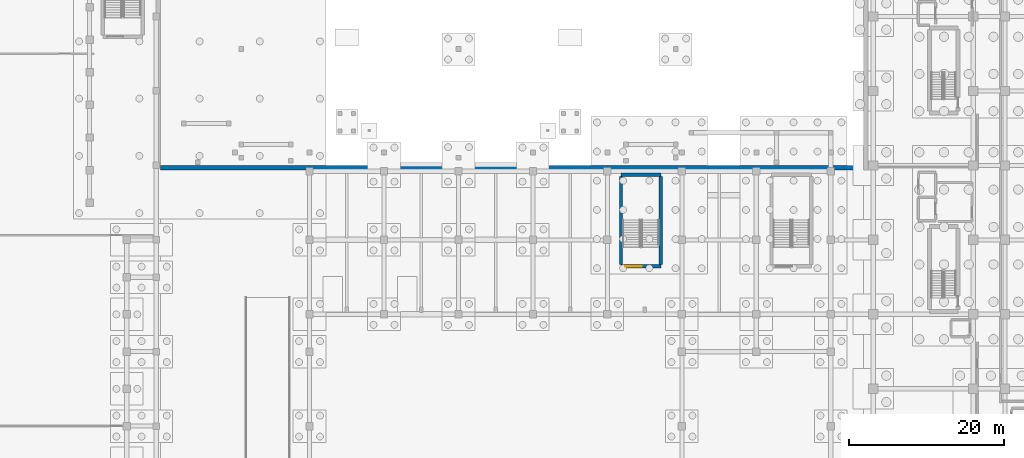
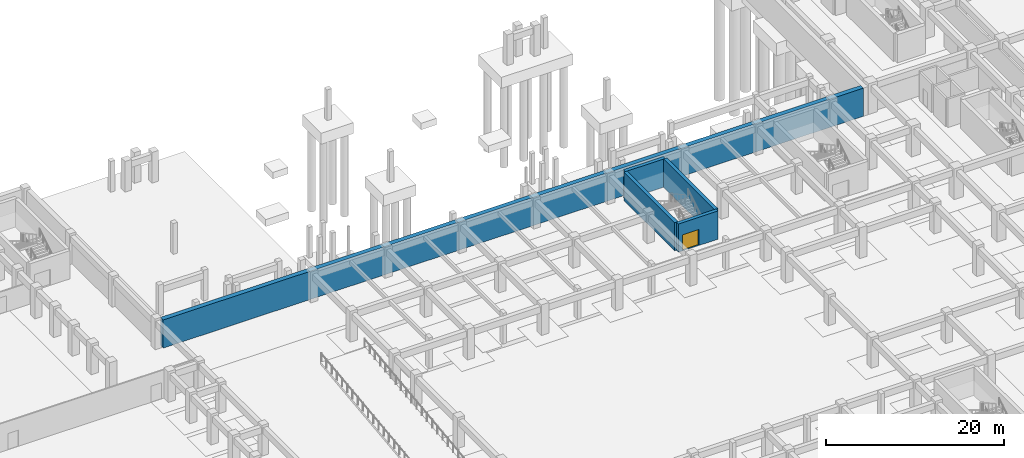
# One storey, part 19 of 39: 5 walls, 1 door, 1 opening.
"""IFC4 building model written with IfcOpenShell, lengths in metres."""

from ifc_helpers import new_model, si_unit, direction, frame, frame_2d, origin, place, context, subcontext, project, spatial, rectangle, extrude, material, layer, layer_set, type_object, element, fill, save


model = new_model("IFC4")

# Units and contexts
model_context = context("Model", 3, precision=1e-05, world=origin(), true_north=direction((0.0, 1.0)))
body_context = subcontext(model_context, "Body", "Model", "MODEL_VIEW")
ifc_project = project(units=[si_unit("LENGTHUNIT", "METRE"), si_unit("AREAUNIT", "SQUARE_METRE"), si_unit("VOLUMEUNIT", "CUBIC_METRE"), si_unit("PLANEANGLEUNIT", "RADIAN"), si_unit("MASSUNIT", "GRAM", prefix="KILO")], contexts=[model_context])

# Site, building, storey
site_placement = place(None, origin())
site = spatial("IfcSite", under=ifc_project, at=site_placement, CompositionType="ELEMENT")
building_placement = place(site_placement, origin())
building = spatial("IfcBuilding", under=site, at=building_placement, Name="Nakhvara Creek Congress Hotel", CompositionType="ELEMENT")
storey_placement = place(building_placement, frame((0.0, 0.0, -8.39990234375)))
storey = spatial("IfcBuildingStorey", under=building, at=storey_placement, Name="B2", CompositionType="ELEMENT", Elevation=-8.39990234375)

# Wall, opening, door
ifc_material_1 = material(Name="Concrete C50/60", Category="concrete")
ifc_layer_1 = layer(ifc_material_1, 0.449951171875)
ifc_layer_set_1 = layer_set([ifc_layer_1], Name="Concrete C50/60")
wall_type_1 = type_object("IfcWallType", Name="W-CORE-450", PredefinedType="SHEAR", material=ifc_layer_set_1)
wall_1_placement = place(storey_placement, frame((116.949951171875, 82.97998046875, 0.0), z_axis=(0.0, 0.0, 1.0), x_axis=(1.0, 0.0, 0.0)))
wall_1 = element("IfcWall", 1, at=wall_1_placement, inside=storey, type_object=wall_type_1, Name="Core Shear Wall WS02-CWALL-B2-0887", PredefinedType="SHEAR", context=body_context, shape_type="SweptSolid", body=[
    extrude(rectangle(XDim=5.150146484375, YDim=0.449951171875, at=frame_2d((2.5751953125, 0.0))), origin(), (0.0, 0.0, 1.0), 3.85986328125),
])
opening_placement = place(wall_1_placement, frame((0.550048828125, 0.0, 0.0)))
opening = element("IfcOpeningElement", 2, at=opening_placement, cuts=wall_1, Name="Opening FD19", PredefinedType="OPENING", context=body_context, shape_type="SweptSolid", body=[
    extrude(rectangle(XDim=2.10009765625, YDim=2.199951171875, at=frame_2d((1.050048828125, 1.10009765625))), frame((0.0, 0.23681640625, 0.0), z_axis=(0.0, -1.0, 0.0), x_axis=(1.0, 0.0, 0.0)), (0.0, 0.0, 1.0), 0.473876953125),
])
ifc_material_2 = material(Name="Galvanised steel acoustic fire door", Category="steel")
door_type = type_object("IfcDoorType", Name="DT-STAIR-220", OperationType="DOUBLE_DOOR_SINGLE_SWING", PredefinedType="DOOR", material=ifc_material_2)
door_placement = place(opening_placement, frame((2.10009765625, 0.0, 0.0), z_axis=(0.0, 0.0, 1.0), x_axis=(-1.0, 0.0, 0.0)))
door = element("IfcDoor", 3, at=door_placement, inside=storey, type_object=door_type, Name="Stair Exit Door ST09-B2", OperationType="DOUBLE_DOOR_SINGLE_SWING", OverallHeight=2.199951171875, OverallWidth=2.10009765625, PredefinedType="DOOR", context=body_context, shape_type="SweptSolid", body=[
    extrude(rectangle(XDim=2.10009765625, YDim=2.199951171875, at=frame_2d((1.050048828125, 1.10009765625))), frame((0.0, 0.02490234375, 0.0), z_axis=(0.0, -1.0, 0.0), x_axis=(1.0, 0.0, 0.0)), (0.0, 0.0, 1.0), 0.050048828125),
])
fill(opening, door)

# Walls
wall_2_placement = place(storey_placement, frame((116.949951171875, 94.820068359375, 0.0), z_axis=(0.0, 0.0, 1.0), x_axis=(1.0, 0.0, 0.0)))
element("IfcWall", 4, at=wall_2_placement, inside=storey, type_object=wall_type_1, Name="Core Shear Wall WS02-CWALL-B2-0888", PredefinedType="SHEAR", context=body_context, shape_type="SweptSolid", body=[
    extrude(rectangle(XDim=5.150146484375, YDim=0.449951171875, at=frame_2d((2.5751953125, 0.0))), origin(), (0.0, 0.0, 1.0), 3.85986328125),
])
for number, where, z_axis, x_axis, name in (
    (5, (116.949951171875, 83.199951171875, 0.0), (0.0, 0.0, 1.0), (0.0, 1.0, 0.0), "Core Shear Wall WS02-CWALL-B2-0889"),
    (6, (122.10009765625, 83.199951171875, 0.0), (0.0, 0.0, 1.0), (0.0, 1.0, 0.0), "Core Shear Wall WS02-CWALL-B2-0890"),
):
    element("IfcWall", number, at=place(storey_placement, frame(where, z_axis=z_axis, x_axis=x_axis)), inside=storey, type_object=wall_type_1, Name=name, PredefinedType="SHEAR", context=body_context, shape_type="SweptSolid", body=[
        extrude(rectangle(XDim=11.400146484375, YDim=0.449951171875, at=frame_2d((5.7001953125, 0.0))), origin(), (0.0, 0.0, 1.0), 3.85986328125),
    ])
ifc_material_3 = material(Name="Concrete C40/50", Category="concrete")
ifc_layer_2 = layer(ifc_material_3, 0.60009765625)
ifc_layer_set_2 = layer_set([ifc_layer_2], Name="Concrete C40/50")
wall_type_2 = type_object("IfcWallType", Name="W-RET-600", PredefinedType="USERDEFINED", material=ifc_layer_set_2)
wall_3_placement = place(storey_placement, frame((57.60009765625, 95.699951171875, 0.0), z_axis=(0.0, 0.0, 1.0), x_axis=(1.0, 0.0, 0.0)))
element("IfcWall", 7, at=wall_3_placement, inside=storey, type_object=wall_type_2, Name="Exterior Wall WR01-EW-B2-0004", ObjectType="RETAININGWALL", PredefinedType="USERDEFINED", context=body_context, shape_type="SweptSolid", body=[
    extrude(rectangle(XDim=90.599853515625, YDim=0.60009765625, at=frame_2d((45.2998046875, 0.0))), origin(), (0.0, 0.0, 1.0), 3.85986328125),
])

save(model, "model.ifc")
